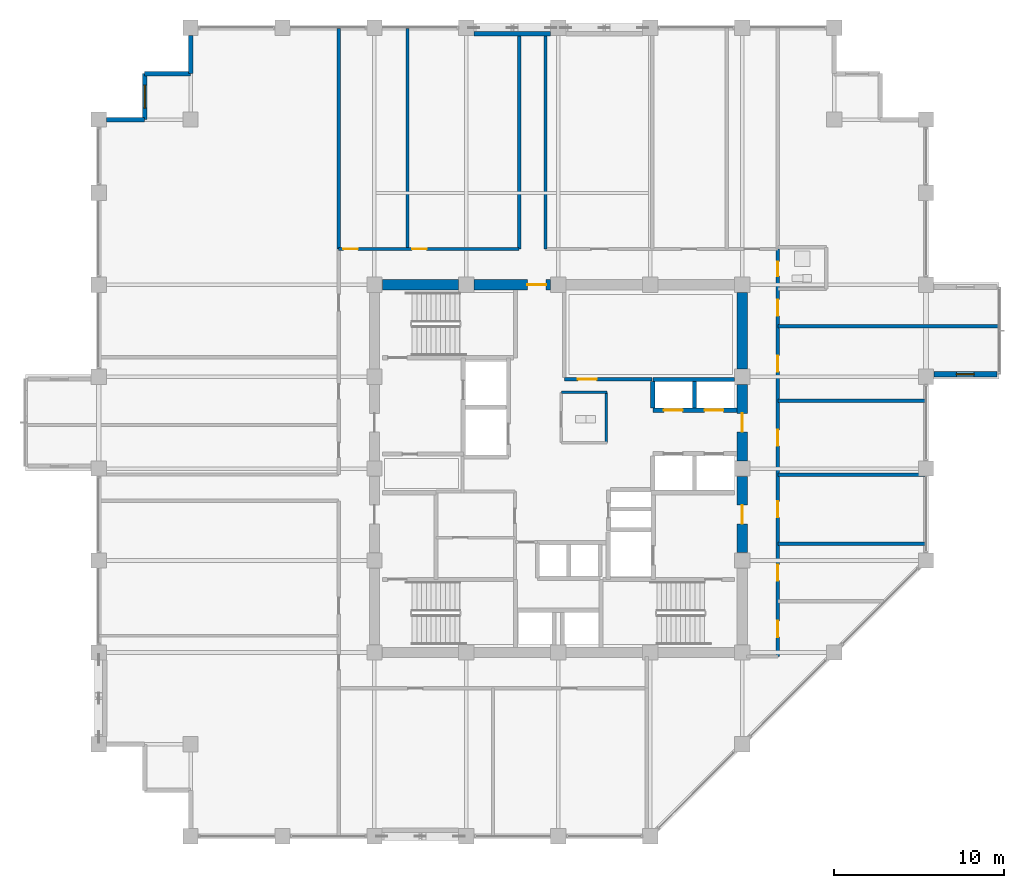
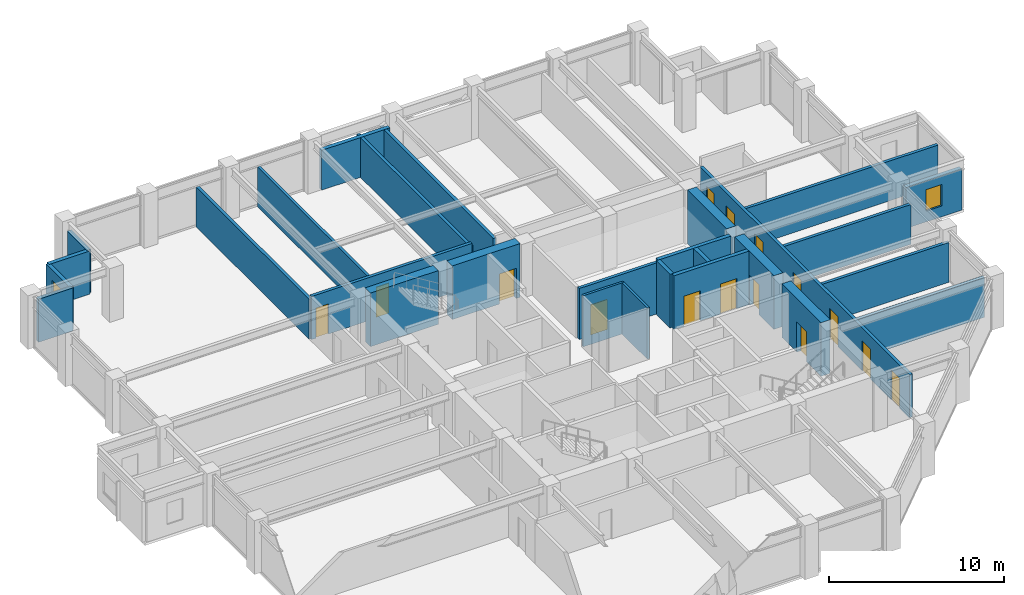
# One storey, part 24 of 28: 28 walls, 15 doors, 2 windows, 17 openings.
"""IFC4 building model written with IfcOpenShell, lengths in metres."""

from ifc_helpers import new_model, si_unit, direction, frame, frame_2d, origin, place, context, subcontext, project, spatial, rectangle, extrude, material, layer, layer_set, type_object, element, fill, save


model = new_model("IFC4")

# Units and contexts
model_context = context("Model", 3, precision=1e-05, world=origin(), true_north=direction((0.0, 1.0)))
body_context = subcontext(model_context, "Body", "Model", "MODEL_VIEW")
ifc_project = project(units=[si_unit("LENGTHUNIT", "METRE"), si_unit("AREAUNIT", "SQUARE_METRE"), si_unit("VOLUMEUNIT", "CUBIC_METRE"), si_unit("PLANEANGLEUNIT", "RADIAN"), si_unit("MASSUNIT", "GRAM", prefix="KILO")], contexts=[model_context])

# Site, building, storey
site_placement = place(None, origin())
site = spatial("IfcSite", under=ifc_project, at=site_placement, CompositionType="ELEMENT")
building_placement = place(site_placement, origin())
building = spatial("IfcBuilding", under=site, at=building_placement, Name="Surkhivell Harbour Commons", CompositionType="ELEMENT")
storey_placement = place(building_placement, frame((0.0, 0.0, 178.5)))
storey = spatial("IfcBuildingStorey", under=building, at=storey_placement, Name="L46", CompositionType="ELEMENT", Elevation=178.5)

# Wall
ifc_material_1 = material(Name="Concrete C60/75", Category="concrete")
ifc_layer_1 = layer(ifc_material_1, 0.60009765625)
ifc_layer_set_1 = layer_set([ifc_layer_1], Name="Concrete C60/75")
wall_type_1 = type_object("IfcWallType", Name="WAL-CORE-600", PredefinedType="SHEAR", material=ifc_layer_set_1)
wall_1_placement = place(storey_placement, frame((-10.340087890625, 10.800048828125, 0.0), z_axis=(0.0, 0.0, 1.0), x_axis=(1.0, 0.0, 0.0)))
element("IfcWall", 1, at=wall_1_placement, inside=storey, type_object=wall_type_1, Name="L46 Core Shear Wall North 1", PredefinedType="SHEAR", context=body_context, shape_type="SweptSolid", body=[
    extrude(rectangle(XDim=4.47998046875, YDim=0.60009765625, at=frame_2d((2.239990234375, 0.0))), origin(), (0.0, 0.0, 1.0), 3.75),
])

# Wall, opening, door
wall_2_placement = place(storey_placement, frame((-4.93994140625, 10.800048828125, 0.0), z_axis=(0.0, 0.0, 1.0), x_axis=(1.0, 0.0, 0.0)))
wall_2 = element("IfcWall", 2, at=wall_2_placement, inside=storey, type_object=wall_type_1, Name="L46 Core Shear Wall North 2", PredefinedType="SHEAR", context=body_context, shape_type="SweptSolid", body=[
    extrude(rectangle(XDim=4.47998046875, YDim=0.60009765625, at=frame_2d((2.239990234375, 0.0))), origin(), (0.0, 0.0, 1.0), 3.75),
])
opening_1_placement = place(wall_2_placement, frame((3.1298828125, 0.0, 0.0)))
opening_1 = element("IfcOpeningElement", 3, at=opening_1_placement, cuts=wall_2, Name="Opening ID-2", PredefinedType="OPENING", context=body_context, shape_type="SweptSolid", body=[
    extrude(rectangle(XDim=1.10009765625, YDim=2.10009765625, at=frame_2d((0.550048828125, 1.050048828125))), frame((0.0, 0.31005859375, 0.0), z_axis=(0.0, -1.0, 0.0), x_axis=(1.0, 0.0, 0.0)), (0.0, 0.0, 1.0), 0.6201171875),
])
ifc_material_2 = material(Name="Hardwood-veneered fire-rated door leaf", Category="wood")
door_type_1 = type_object("IfcDoorType", Name="DOR-FD60-1100", OperationType="NOTDEFINED", PredefinedType="DOOR", material=ifc_material_2)
door_1_placement = place(opening_1_placement, origin())
door_1 = element("IfcDoor", 4, at=door_1_placement, inside=storey, type_object=door_type_1, Name="L46 Central Core Lift Hall North Corridor Door", OperationType="SINGLE_SWING_LEFT", OverallHeight=2.10009765625, OverallWidth=1.10009765625, PredefinedType="DOOR", context=body_context, shape_type="SweptSolid", body=[
    extrude(rectangle(XDim=1.10009765625, YDim=2.10009765625, at=frame_2d((0.550048828125, 1.050048828125))), frame((0.0, 0.02490234375, 0.0), z_axis=(0.0, -1.0, 0.0), x_axis=(1.0, 0.0, 0.0)), (0.0, 0.0, 1.0), 0.050048828125),
])
fill(opening_1, door_1)

wall_3_placement = place(storey_placement, frame((10.800048828125, -4.93994140625, 0.0), z_axis=(0.0, 0.0, 1.0), x_axis=(0.0, 1.0, 0.0)))
wall_3 = element("IfcWall", 5, at=wall_3_placement, inside=storey, type_object=wall_type_1, Name="L46 Core Shear Wall East 2", PredefinedType="SHEAR", context=body_context, shape_type="SweptSolid", body=[
    extrude(rectangle(XDim=4.47998046875, YDim=0.60009765625, at=frame_2d((2.239990234375, 0.0))), origin(), (0.0, 0.0, 1.0), 3.75),
])
opening_2_placement = place(wall_3_placement, frame((1.68994140625, 0.0, 0.0)))
opening_2 = element("IfcOpeningElement", 6, at=opening_2_placement, cuts=wall_3, Name="Opening ID-1", PredefinedType="OPENING", context=body_context, shape_type="SweptSolid", body=[
    extrude(rectangle(XDim=1.10009765625, YDim=2.10009765625, at=frame_2d((0.550048828125, 1.050048828125))), frame((0.0, 0.31005859375, 0.0), z_axis=(0.0, -1.0, 0.0), x_axis=(1.0, 0.0, 0.0)), (0.0, 0.0, 1.0), 0.6201171875),
])
door_type_2 = type_object("IfcDoorType", Name="DOR-FD120-1100", OperationType="NOTDEFINED", PredefinedType="DOOR", material=ifc_material_2)
door_2_placement = place(opening_2_placement, origin())
door_2 = element("IfcDoor", 7, at=door_2_placement, inside=storey, type_object=door_type_2, Name="L46 Firefighting Lobby 2 Corridor Door", OperationType="SINGLE_SWING_RIGHT", OverallHeight=2.10009765625, OverallWidth=1.10009765625, PredefinedType="DOOR", context=body_context, shape_type="SweptSolid", body=[
    extrude(rectangle(XDim=1.10009765625, YDim=2.10009765625, at=frame_2d((0.550048828125, 1.050048828125))), frame((0.0, 0.02490234375, 0.0), z_axis=(0.0, -1.0, 0.0), x_axis=(1.0, 0.0, 0.0)), (0.0, 0.0, 1.0), 0.050048828125),
])
fill(opening_2, door_2)

wall_4_placement = place(storey_placement, frame((10.800048828125, 0.4599609375, 0.0), z_axis=(0.0, 0.0, 1.0), x_axis=(0.0, 1.0, 0.0)))
wall_4 = element("IfcWall", 8, at=wall_4_placement, inside=storey, type_object=wall_type_1, Name="L46 Core Shear Wall East 3", PredefinedType="SHEAR", context=body_context, shape_type="SweptSolid", body=[
    extrude(rectangle(XDim=4.47998046875, YDim=0.60009765625, at=frame_2d((2.239990234375, 0.0))), origin(), (0.0, 0.0, 1.0), 3.75),
])
opening_3_placement = place(wall_4_placement, frame((1.68994140625, 0.0, 0.0)))
opening_3 = element("IfcOpeningElement", 9, at=opening_3_placement, cuts=wall_4, Name="Opening ID-2", PredefinedType="OPENING", context=body_context, shape_type="SweptSolid", body=[
    extrude(rectangle(XDim=1.10009765625, YDim=2.10009765625, at=frame_2d((0.550048828125, 1.050048828125))), frame((0.0, 0.31005859375, 0.0), z_axis=(0.0, -1.0, 0.0), x_axis=(1.0, 0.0, 0.0)), (0.0, 0.0, 1.0), 0.6201171875),
])
door_3_placement = place(opening_3_placement, origin())
door_3 = element("IfcDoor", 10, at=door_3_placement, inside=storey, type_object=door_type_1, Name="L46 Mid-Rise Lobby East Door", OperationType="SINGLE_SWING_LEFT", OverallHeight=2.10009765625, OverallWidth=1.10009765625, PredefinedType="DOOR", context=body_context, shape_type="SweptSolid", body=[
    extrude(rectangle(XDim=1.10009765625, YDim=2.10009765625, at=frame_2d((0.550048828125, 1.050048828125))), frame((0.0, 0.02490234375, 0.0), z_axis=(0.0, -1.0, 0.0), x_axis=(1.0, 0.0, 0.0)), (0.0, 0.0, 1.0), 0.050048828125),
])
fill(opening_3, door_3)

# Wall
wall_5_placement = place(storey_placement, frame((10.800048828125, 5.860107421875, 0.0), z_axis=(0.0, 0.0, 1.0), x_axis=(0.0, 1.0, 0.0)))
element("IfcWall", 11, at=wall_5_placement, inside=storey, type_object=wall_type_1, Name="L46 Core Shear Wall East 4", PredefinedType="SHEAR", context=body_context, shape_type="SweptSolid", body=[
    extrude(rectangle(XDim=4.47998046875, YDim=0.60009765625, at=frame_2d((2.239990234375, 0.0))), origin(), (0.0, 0.0, 1.0), 3.75),
])

# Wall, opening, window
ifc_material_3 = material(Name="Flemish-bond kiln brick and precast concrete C45/55", Category="masonry")
ifc_layer_2 = layer(ifc_material_3, 0.300048828125)
ifc_layer_set_2 = layer_set([ifc_layer_2], Name="Flemish-bond kiln brick and precast concrete C45/55")
wall_type_2 = type_object("IfcWallType", Name="WAL-EXT-BRK300", PredefinedType="STANDARD", material=ifc_layer_set_2)
wall_6_placement = place(storey_placement, frame((22.053955078125, 5.5400390625, 0.0), z_axis=(0.0, 0.0, 1.0), x_axis=(1.0, 0.0, 0.0)))
wall_6 = element("IfcWall", 12, at=wall_6_placement, inside=storey, type_object=wall_type_2, Name="L46 Coloured Box Return Wall 01S", PredefinedType="STANDARD", context=body_context, shape_type="SweptSolid", body=[
    extrude(rectangle(XDim=3.7060546875, YDim=0.300048828125, at=frame_2d((1.85302734375, 0.0))), origin(), (0.0, 0.0, 1.0), 2.85693359375),
])
opening_4_placement = place(wall_6_placement, frame((1.327880859375, 0.0, 0.75)))
opening_4 = element("IfcOpeningElement", 13, at=opening_4_placement, cuts=wall_6, Name="Opening WN-11", PredefinedType="OPENING", context=body_context, shape_type="SweptSolid", body=[
    extrude(rectangle(XDim=1.050048828125, YDim=1.5, at=frame_2d((0.52490234375, 0.75))), frame((0.0, 0.159912109375, 0.0), z_axis=(0.0, -1.0, 0.0), x_axis=(1.0, 0.0, 0.0)), (0.0, 0.0, 1.0), 0.320068359375),
])
ifc_material_4 = material(Name="Thermal-break aluminium frame and double low-E glazing", Category="aluminium")
window_type_1 = type_object("IfcWindowType", Name="WIN-SER-1050x1500", PartitioningType="SINGLE_PANEL", PredefinedType="WINDOW", material=ifc_material_4)
window_1_placement = place(opening_4_placement, origin())
window_1 = element("IfcWindow", 14, at=window_1_placement, inside=storey, type_object=window_type_1, Name="L46 Coloured Box Return Window 01S", OverallHeight=1.5, OverallWidth=1.050048828125, PartitioningType="SINGLE_PANEL", PredefinedType="WINDOW", context=body_context, shape_type="SweptSolid", body=[
    extrude(rectangle(XDim=1.050048828125, YDim=1.5, at=frame_2d((0.52490234375, 0.75))), frame((0.0, 0.030029296875, 0.0), z_axis=(0.0, -1.0, 0.0), x_axis=(1.0, 0.0, 0.0)), (0.0, 0.0, 1.0), 0.06005859375),
])
fill(opening_4, window_1)

# Walls
ifc_material_5 = material(Name="Pale-metal insulated precast concrete C45/55", Category="concrete")
ifc_layer_3 = layer(ifc_material_5, 0.260009765625)
ifc_layer_set_3 = layer_set([ifc_layer_3], Name="Pale-metal insulated precast concrete C45/55")
wall_type_3 = type_object("IfcWallType", Name="WAL-EXT-MTL260", PredefinedType="STANDARD", material=ifc_layer_set_3)
wall_7_placement = place(storey_placement, frame((-0.447998046875, 25.5400390625, 0.0), z_axis=(0.0, 0.0, 1.0), x_axis=(-1.0, 0.0, 0.0)))
element("IfcWall", 15, at=wall_7_placement, inside=storey, type_object=wall_type_3, Name="L46 Braced-Bay Insulated Spandrel Backing N", PredefinedType="STANDARD", context=body_context, shape_type="SweptSolid", body=[
    extrude(rectangle(XDim=4.50390625, YDim=0.260009765625, at=frame_2d((2.251953125, 0.0))), origin(), (0.0, 0.0, 1.0), 2.780029296875),
])
wall_8_placement = place(storey_placement, frame((-21.60009765625, 25.451904296875, 0.0), z_axis=(0.0, 0.0, 1.0), x_axis=(0.0, -1.0, 0.0)))
element("IfcWall", 16, at=wall_8_placement, inside=storey, type_object=wall_type_3, Name="L46 Serrated Corner Facade Wall 08", PredefinedType="STANDARD", context=body_context, shape_type="SweptSolid", body=[
    extrude(rectangle(XDim=2.251953125, YDim=0.260009765625, at=frame_2d((1.1259765625, 0.0))), origin(), (0.0, 0.0, 1.0), 3.006103515625),
])
wall_9_placement = place(storey_placement, frame((-21.60009765625, 23.199951171875, 0.0), z_axis=(0.0, 0.0, 1.0), x_axis=(-1.0, 0.0, 0.0)))
element("IfcWall", 17, at=wall_9_placement, inside=storey, type_object=wall_type_3, Name="L46 Serrated Corner Facade Wall 09", PredefinedType="STANDARD", context=body_context, shape_type="SweptSolid", body=[
    extrude(rectangle(XDim=2.699951171875, YDim=0.260009765625, at=frame_2d((1.35009765625, 0.0))), origin(), (0.0, 0.0, 1.0), 3.006103515625),
])

# Wall, opening, window
wall_10_placement = place(storey_placement, frame((-24.300048828125, 23.199951171875, 0.0), z_axis=(0.0, 0.0, 1.0), x_axis=(0.0, -1.0, 0.0)))
wall_10 = element("IfcWall", 18, at=wall_10_placement, inside=storey, type_object=wall_type_3, Name="L46 Serrated Corner Facade Wall 10", PredefinedType="STANDARD", context=body_context, shape_type="SweptSolid", body=[
    extrude(rectangle(XDim=2.699951171875, YDim=0.260009765625, at=frame_2d((1.35009765625, 0.0))), origin(), (0.0, 0.0, 1.0), 3.006103515625),
])
opening_5_placement = place(wall_10_placement, frame((0.675048828125, 0.0, 0.64990234375)))
opening_5 = element("IfcOpeningElement", 19, at=opening_5_placement, cuts=wall_10, Name="Opening WN-08", PredefinedType="OPENING", context=body_context, shape_type="SweptSolid", body=[
    extrude(rectangle(XDim=1.35009765625, YDim=1.64990234375, at=frame_2d((0.675048828125, 0.824951171875))), frame((0.0, 0.139892578125, 0.0), z_axis=(0.0, -1.0, 0.0), x_axis=(1.0, 0.0, 0.0)), (0.0, 0.0, 1.0), 0.280029296875),
])
window_type_2 = type_object("IfcWindowType", Name="WIN-SER-1350x1650", PartitioningType="SINGLE_PANEL", PredefinedType="WINDOW", material=ifc_material_4)
window_2_placement = place(opening_5_placement, origin())
window_2 = element("IfcWindow", 20, at=window_2_placement, inside=storey, type_object=window_type_2, Name="L46 Serrated Alcove Window 10", OverallHeight=1.64990234375, OverallWidth=1.35009765625, PartitioningType="SINGLE_PANEL", PredefinedType="WINDOW", context=body_context, shape_type="SweptSolid", body=[
    extrude(rectangle(XDim=1.35009765625, YDim=1.64990234375, at=frame_2d((0.675048828125, 0.824951171875))), frame((0.0, 0.030029296875, 0.0), z_axis=(0.0, -1.0, 0.0), x_axis=(1.0, 0.0, 0.0)), (0.0, 0.0, 1.0), 0.06005859375),
])
fill(opening_5, window_2)

# Walls
wall_11_placement = place(storey_placement, frame((-24.300048828125, 20.5, 0.0), z_axis=(0.0, 0.0, 1.0), x_axis=(-1.0, 0.0, 0.0)))
element("IfcWall", 21, at=wall_11_placement, inside=storey, type_object=wall_type_3, Name="L46 Serrated Corner Facade Wall 11", PredefinedType="STANDARD", context=body_context, shape_type="SweptSolid", body=[
    extrude(rectangle(XDim=2.251953125, YDim=0.260009765625, at=frame_2d((1.1259765625, 0.0))), origin(), (0.0, 0.0, 1.0), 3.006103515625),
])
ifc_material_6 = material(Name="Twin-stud acoustic fireboard partition", Category="other")
ifc_layer_4 = layer(ifc_material_6, 0.14990234375)
ifc_layer_set_4 = layer_set([ifc_layer_4], Name="Twin-stud acoustic fireboard partition")
wall_type_4 = type_object("IfcWallType", Name="WAL-INT-150", PredefinedType="PARTITIONING", material=ifc_layer_set_4)
wall_12_placement = place(storey_placement, frame((2.820068359375, 1.52001953125, 0.0), z_axis=(0.0, 0.0, 1.0), x_axis=(0.0, 1.0, 0.0)))
element("IfcWall", 22, at=wall_12_placement, inside=storey, type_object=wall_type_4, Name="L46 Core Accessible WC East Wall", PredefinedType="PARTITIONING", context=body_context, shape_type="SweptSolid", body=[
    extrude(rectangle(XDim=2.9599609375, YDim=0.14990234375, at=frame_2d((1.47998046875, 0.0))), origin(), (0.0, 0.0, 1.0), 3.570068359375),
])
wall_13_placement = place(storey_placement, frame((0.179931640625, 4.47998046875, 0.0), z_axis=(0.0, 0.0, 1.0), x_axis=(1.0, 0.0, 0.0)))
element("IfcWall", 23, at=wall_13_placement, inside=storey, type_object=wall_type_4, Name="L46 Core Accessible WC North Wall", PredefinedType="PARTITIONING", context=body_context, shape_type="SweptSolid", body=[
    extrude(rectangle(XDim=2.670166015625, YDim=0.14990234375, at=frame_2d((1.3349609375, 0.0))), origin(), (0.0, 0.0, 1.0), 3.570068359375),
])
ifc_material_7 = material(Name="High-density acoustic blockwork fire partition", Category="masonry")
ifc_layer_5 = layer(ifc_material_7, 0.175048828125)
ifc_layer_set_5 = layer_set([ifc_layer_5], Name="High-density acoustic blockwork fire partition")
wall_type_5 = type_object("IfcWallType", Name="WAL-INT-175", PredefinedType="PARTITIONING", material=ifc_layer_set_5)
wall_14_placement = place(storey_placement, frame((-8.8701171875, 12.89990234375, 0.0), z_axis=(0.0, 0.0, 1.0), x_axis=(0.0, 1.0, 0.0)))
element("IfcWall", 24, at=wall_14_placement, inside=storey, type_object=wall_type_5, Name="L46 North-West Partition P1", PredefinedType="PARTITIONING", context=body_context, shape_type="SweptSolid", body=[
    extrude(rectangle(XDim=12.940185546875, YDim=0.175048828125, at=frame_2d((6.47021484375, 0.0))), origin(), (0.0, 0.0, 1.0), 2.780029296875),
])

# Wall, opening, door
ifc_material_8 = material(Name="Autoclaved aerated concrete blockwork and fire plaster", Category="masonry")
ifc_layer_6 = layer(ifc_material_8, 0.199951171875)
ifc_layer_set_6 = layer_set([ifc_layer_6], Name="Autoclaved aerated concrete blockwork and fire plaster")
wall_type_6 = type_object("IfcWallType", Name="WAL-INT-200", PredefinedType="PARTITIONING", material=ifc_layer_set_6)
wall_15_placement = place(storey_placement, frame((0.35009765625, 5.239990234375, 0.0), z_axis=(0.0, 0.0, 1.0), x_axis=(1.0, 0.0, 0.0)))
wall_15 = element("IfcWall", 25, at=wall_15_placement, inside=storey, type_object=wall_type_6, Name="L46 Reclaimed Core North Bay South Wall", PredefinedType="PARTITIONING", context=body_context, shape_type="SweptSolid", body=[
    extrude(rectangle(XDim=5.14990234375, YDim=0.199951171875, at=frame_2d((2.574951171875, 0.0))), origin(), (0.0, 0.0, 1.0), 3.570068359375),
])
opening_6_placement = place(wall_15_placement, frame((0.800048828125, 0.0, 0.0)))
opening_6 = element("IfcOpeningElement", 26, at=opening_6_placement, cuts=wall_15, Name="Opening ID-2", PredefinedType="OPENING", context=body_context, shape_type="SweptSolid", body=[
    extrude(rectangle(XDim=1.10009765625, YDim=2.10009765625, at=frame_2d((0.550048828125, 1.050048828125))), frame((0.0, 0.10986328125, 0.0), z_axis=(0.0, -1.0, 0.0), x_axis=(1.0, 0.0, 0.0)), (0.0, 0.0, 1.0), 0.219970703125),
])
door_4_placement = place(opening_6_placement, origin())
door_4 = element("IfcDoor", 27, at=door_4_placement, inside=storey, type_object=door_type_1, Name="L46 Reading Library Door", OperationType="SINGLE_SWING_LEFT", OverallHeight=2.10009765625, OverallWidth=1.10009765625, PredefinedType="DOOR", context=body_context, shape_type="SweptSolid", body=[
    extrude(rectangle(XDim=1.10009765625, YDim=2.10009765625, at=frame_2d((0.550048828125, 1.050048828125))), frame((0.0, 0.02490234375, 0.0), z_axis=(0.0, -1.0, 0.0), x_axis=(1.0, 0.0, 0.0)), (0.0, 0.0, 1.0), 0.050048828125),
])
fill(opening_6, door_4)

# Wall
wall_16_placement = place(storey_placement, frame((-12.89990234375, 12.89990234375, 0.0), z_axis=(0.0, 0.0, 1.0), x_axis=(0.0, 1.0, 0.0)))
element("IfcWall", 28, at=wall_16_placement, inside=storey, type_object=wall_type_6, Name="L46 North-West Corner Wall", PredefinedType="PARTITIONING", context=body_context, shape_type="SweptSolid", body=[
    extrude(rectangle(XDim=12.940185546875, YDim=0.199951171875, at=frame_2d((6.47021484375, 0.0))), origin(), (0.0, 0.0, 1.0), 2.780029296875),
])

# Wall, openings, doors
wall_17_placement = place(storey_placement, frame((12.89990234375, -11.0400390625, 0.0), z_axis=(0.0, 0.0, 1.0), x_axis=(0.0, 1.0, 0.0)))
wall_17 = element("IfcWall", 29, at=wall_17_placement, inside=storey, type_object=wall_type_6, Name="L46 Corridor East Wall", PredefinedType="PARTITIONING", context=body_context, shape_type="SweptSolid", body=[
    extrude(rectangle(XDim=23.93994140625, YDim=0.199951171875, at=frame_2d((11.969970703125, 0.0))), origin(), (0.0, 0.0, 1.0), 3.006103515625),
])
opening_7_placement = place(wall_17_placement, frame((1.139892578125, 0.0, 0.0)))
opening_7 = element("IfcOpeningElement", 30, at=opening_7_placement, cuts=wall_17, Name="Opening ID-4", PredefinedType="OPENING", context=body_context, shape_type="SweptSolid", body=[
    extrude(rectangle(XDim=0.949951171875, YDim=2.10009765625, at=frame_2d((0.47509765625, 1.050048828125))), frame((0.0, 0.10986328125, 0.0), z_axis=(0.0, -1.0, 0.0), x_axis=(1.0, 0.0, 0.0)), (0.0, 0.0, 1.0), 0.219970703125),
])
opening_8_placement = place(wall_17_placement, frame((22.344970703125, 0.0, 0.0)))
opening_8 = element("IfcOpeningElement", 31, at=opening_8_placement, cuts=wall_17, Name="Opening ID-6", PredefinedType="OPENING", context=body_context, shape_type="SweptSolid", body=[
    extrude(rectangle(XDim=0.85009765625, YDim=2.10009765625, at=frame_2d((0.425048828125, 1.050048828125))), frame((0.0, 0.10986328125, 0.0), z_axis=(0.0, -1.0, 0.0), x_axis=(1.0, 0.0, 0.0)), (0.0, 0.0, 1.0), 0.219970703125),
])
opening_9_placement = place(wall_17_placement, frame((20.010009765625, 0.0, 0.0)))
opening_9 = element("IfcOpeningElement", 32, at=opening_9_placement, cuts=wall_17, Name="Opening ID-4", PredefinedType="OPENING", context=body_context, shape_type="SweptSolid", body=[
    extrude(rectangle(XDim=0.949951171875, YDim=2.10009765625, at=frame_2d((0.47509765625, 1.050048828125))), frame((0.0, 0.10986328125, 0.0), z_axis=(0.0, -1.0, 0.0), x_axis=(1.0, 0.0, 0.0)), (0.0, 0.0, 1.0), 0.219970703125),
])
opening_10_placement = place(wall_17_placement, frame((4.455078125, 0.0, 0.0)))
opening_10 = element("IfcOpeningElement", 33, at=opening_10_placement, cuts=wall_17, Name="Opening ID-4", PredefinedType="OPENING", context=body_context, shape_type="SweptSolid", body=[
    extrude(rectangle(XDim=0.949951171875, YDim=2.10009765625, at=frame_2d((0.47509765625, 1.050048828125))), frame((0.0, 0.10986328125, 0.0), z_axis=(0.0, -1.0, 0.0), x_axis=(1.0, 0.0, 0.0)), (0.0, 0.0, 1.0), 0.219970703125),
])
opening_11_placement = place(wall_17_placement, frame((8.169921875, 0.0, 0.0)))
opening_11 = element("IfcOpeningElement", 34, at=opening_11_placement, cuts=wall_17, Name="Opening ID-4", PredefinedType="OPENING", context=body_context, shape_type="SweptSolid", body=[
    extrude(rectangle(XDim=0.949951171875, YDim=2.10009765625, at=frame_2d((0.47509765625, 1.050048828125))), frame((0.0, 0.10986328125, 0.0), z_axis=(0.0, -1.0, 0.0), x_axis=(1.0, 0.0, 0.0)), (0.0, 0.0, 1.0), 0.219970703125),
])
opening_12_placement = place(wall_17_placement, frame((12.3701171875, 0.0, 0.0)))
opening_12 = element("IfcOpeningElement", 35, at=opening_12_placement, cuts=wall_17, Name="Opening ID-4", PredefinedType="OPENING", context=body_context, shape_type="SweptSolid", body=[
    extrude(rectangle(XDim=0.949951171875, YDim=2.10009765625, at=frame_2d((0.47509765625, 1.050048828125))), frame((0.0, 0.10986328125, 0.0), z_axis=(0.0, -1.0, 0.0), x_axis=(1.0, 0.0, 0.0)), (0.0, 0.0, 1.0), 0.219970703125),
])
opening_13_placement = place(wall_17_placement, frame((16.72998046875, 0.0, 0.0)))
opening_13 = element("IfcOpeningElement", 36, at=opening_13_placement, cuts=wall_17, Name="Opening ID-4", PredefinedType="OPENING", context=body_context, shape_type="SweptSolid", body=[
    extrude(rectangle(XDim=0.949951171875, YDim=2.10009765625, at=frame_2d((0.47509765625, 1.050048828125))), frame((0.0, 0.10986328125, 0.0), z_axis=(0.0, -1.0, 0.0), x_axis=(1.0, 0.0, 0.0)), (0.0, 0.0, 1.0), 0.219970703125),
])
door_type_3 = type_object("IfcDoorType", Name="DOR-FD30-850", OperationType="NOTDEFINED", PredefinedType="DOOR", material=ifc_material_2)
door_5_placement = place(opening_8_placement, origin())
door_5 = element("IfcDoor", 37, at=door_5_placement, inside=storey, type_object=door_type_3, Name="L46 Communal Shower Bathroom East Door", OperationType="SINGLE_SWING_LEFT", OverallHeight=2.10009765625, OverallWidth=0.85009765625, PredefinedType="DOOR", context=body_context, shape_type="SweptSolid", body=[
    extrude(rectangle(XDim=0.85009765625, YDim=2.10009765625, at=frame_2d((0.425048828125, 1.050048828125))), frame((0.0, 0.02490234375, 0.0), z_axis=(0.0, -1.0, 0.0), x_axis=(1.0, 0.0, 0.0)), (0.0, 0.0, 1.0), 0.050048828125),
])
fill(opening_8, door_5)
door_type_4 = type_object("IfcDoorType", Name="DOR-FD60-950", OperationType="NOTDEFINED", PredefinedType="DOOR", material=ifc_material_2)
door_6_placement = place(opening_7_placement, origin())
door_6 = element("IfcDoor", 38, at=door_6_placement, inside=storey, type_object=door_type_4, Name="L46 Shared Communal Kitchen East Door", OperationType="SINGLE_SWING_RIGHT", OverallHeight=2.10009765625, OverallWidth=0.949951171875, PredefinedType="DOOR", context=body_context, shape_type="SweptSolid", body=[
    extrude(rectangle(XDim=0.949951171875, YDim=2.10009765625, at=frame_2d((0.47509765625, 1.050048828125))), frame((0.0, 0.02490234375, 0.0), z_axis=(0.0, -1.0, 0.0), x_axis=(1.0, 0.0, 0.0)), (0.0, 0.0, 1.0), 0.050048828125),
])
fill(opening_7, door_6)
door_7_placement = place(opening_9_placement, origin())
door_7 = element("IfcDoor", 39, at=door_7_placement, inside=storey, type_object=door_type_4, Name="L46 Academic Reading Commons East Door", OperationType="SINGLE_SWING_RIGHT", OverallHeight=2.10009765625, OverallWidth=0.949951171875, PredefinedType="DOOR", context=body_context, shape_type="SweptSolid", body=[
    extrude(rectangle(XDim=0.949951171875, YDim=2.10009765625, at=frame_2d((0.47509765625, 1.050048828125))), frame((0.0, 0.02490234375, 0.0), z_axis=(0.0, -1.0, 0.0), x_axis=(1.0, 0.0, 0.0)), (0.0, 0.0, 1.0), 0.050048828125),
])
fill(opening_9, door_7)
door_8_placement = place(opening_10_placement, origin())
door_8 = element("IfcDoor", 40, at=door_8_placement, inside=storey, type_object=door_type_4, Name="L46 Hostel Cluster Bedroom 1 East Door", OperationType="SINGLE_SWING_LEFT", OverallHeight=2.10009765625, OverallWidth=0.949951171875, PredefinedType="DOOR", context=body_context, shape_type="SweptSolid", body=[
    extrude(rectangle(XDim=0.949951171875, YDim=2.10009765625, at=frame_2d((0.47509765625, 1.050048828125))), frame((0.0, 0.02490234375, 0.0), z_axis=(0.0, -1.0, 0.0), x_axis=(1.0, 0.0, 0.0)), (0.0, 0.0, 1.0), 0.050048828125),
])
fill(opening_10, door_8)
door_9_placement = place(opening_11_placement, origin())
door_9 = element("IfcDoor", 41, at=door_9_placement, inside=storey, type_object=door_type_4, Name="L46 Co-Living Dormitory Bedroom 2 East Door", OperationType="SINGLE_SWING_RIGHT", OverallHeight=2.10009765625, OverallWidth=0.949951171875, PredefinedType="DOOR", context=body_context, shape_type="SweptSolid", body=[
    extrude(rectangle(XDim=0.949951171875, YDim=2.10009765625, at=frame_2d((0.47509765625, 1.050048828125))), frame((0.0, 0.02490234375, 0.0), z_axis=(0.0, -1.0, 0.0), x_axis=(1.0, 0.0, 0.0)), (0.0, 0.0, 1.0), 0.050048828125),
])
fill(opening_11, door_9)
door_10_placement = place(opening_12_placement, origin())
door_10 = element("IfcDoor", 42, at=door_10_placement, inside=storey, type_object=door_type_4, Name="L46 Hostel Cluster Bedroom 3 East Door", OperationType="SINGLE_SWING_LEFT", OverallHeight=2.10009765625, OverallWidth=0.949951171875, PredefinedType="DOOR", context=body_context, shape_type="SweptSolid", body=[
    extrude(rectangle(XDim=0.949951171875, YDim=2.10009765625, at=frame_2d((0.47509765625, 1.050048828125))), frame((0.0, 0.02490234375, 0.0), z_axis=(0.0, -1.0, 0.0), x_axis=(1.0, 0.0, 0.0)), (0.0, 0.0, 1.0), 0.050048828125),
])
fill(opening_12, door_10)
door_11_placement = place(opening_13_placement, origin())
door_11 = element("IfcDoor", 43, at=door_11_placement, inside=storey, type_object=door_type_4, Name="L46 Co-Living Dormitory Bedroom 4 East Door", OperationType="SINGLE_SWING_RIGHT", OverallHeight=2.10009765625, OverallWidth=0.949951171875, PredefinedType="DOOR", context=body_context, shape_type="SweptSolid", body=[
    extrude(rectangle(XDim=0.949951171875, YDim=2.10009765625, at=frame_2d((0.47509765625, 1.050048828125))), frame((0.0, 0.02490234375, 0.0), z_axis=(0.0, -1.0, 0.0), x_axis=(1.0, 0.0, 0.0)), (0.0, 0.0, 1.0), 0.050048828125),
])
fill(opening_13, door_11)

wall_18_placement = place(storey_placement, frame((-12.89990234375, 12.89990234375, 0.0), z_axis=(0.0, 0.0, 1.0), x_axis=(1.0, 0.0, 0.0)))
wall_18 = element("IfcWall", 44, at=wall_18_placement, inside=storey, type_object=wall_type_6, Name="L46 Corridor North-West Wall", PredefinedType="PARTITIONING", context=body_context, shape_type="SweptSolid", body=[
    extrude(rectangle(XDim=10.599853515625, YDim=0.199951171875, at=frame_2d((5.2998046875, 0.0))), origin(), (0.0, 0.0, 1.0), 3.006103515625),
])
opening_14_placement = place(wall_18_placement, frame((0.280029296875, 0.0, 0.0)))
opening_14 = element("IfcOpeningElement", 45, at=opening_14_placement, cuts=wall_18, Name="Opening ID-6", PredefinedType="OPENING", context=body_context, shape_type="SweptSolid", body=[
    extrude(rectangle(XDim=0.85009765625, YDim=2.10009765625, at=frame_2d((0.425048828125, 1.050048828125))), frame((0.0, 0.10986328125, 0.0), z_axis=(0.0, -1.0, 0.0), x_axis=(1.0, 0.0, 0.0)), (0.0, 0.0, 1.0), 0.219970703125),
])
opening_15_placement = place(wall_18_placement, frame((4.31005859375, 0.0, 0.0)))
opening_15 = element("IfcOpeningElement", 46, at=opening_15_placement, cuts=wall_18, Name="Opening ID-6", PredefinedType="OPENING", context=body_context, shape_type="SweptSolid", body=[
    extrude(rectangle(XDim=0.85009765625, YDim=2.10009765625, at=frame_2d((0.425048828125, 1.050048828125))), frame((0.0, 0.10986328125, 0.0), z_axis=(0.0, -1.0, 0.0), x_axis=(1.0, 0.0, 0.0)), (0.0, 0.0, 1.0), 0.219970703125),
])
door_12_placement = place(opening_14_placement, origin())
door_12 = element("IfcDoor", 47, at=door_12_placement, inside=storey, type_object=door_type_3, Name="L46 Harbour Reading Library North-West Door", OperationType="SINGLE_SWING_LEFT", OverallHeight=2.10009765625, OverallWidth=0.85009765625, PredefinedType="DOOR", context=body_context, shape_type="SweptSolid", body=[
    extrude(rectangle(XDim=0.85009765625, YDim=2.10009765625, at=frame_2d((0.425048828125, 1.050048828125))), frame((0.0, 0.02490234375, 0.0), z_axis=(0.0, -1.0, 0.0), x_axis=(1.0, 0.0, 0.0)), (0.0, 0.0, 1.0), 0.050048828125),
])
fill(opening_14, door_12)
door_13_placement = place(opening_15_placement, origin())
door_13 = element("IfcDoor", 48, at=door_13_placement, inside=storey, type_object=door_type_3, Name="L46 Communal Dining Hall North-West Door", OperationType="SINGLE_SWING_RIGHT", OverallHeight=2.10009765625, OverallWidth=0.85009765625, PredefinedType="DOOR", context=body_context, shape_type="SweptSolid", body=[
    extrude(rectangle(XDim=0.85009765625, YDim=2.10009765625, at=frame_2d((0.425048828125, 1.050048828125))), frame((0.0, 0.02490234375, 0.0), z_axis=(0.0, -1.0, 0.0), x_axis=(1.0, 0.0, 0.0)), (0.0, 0.0, 1.0), 0.050048828125),
])
fill(opening_15, door_13)

# Walls
for number, where, z_axis, x_axis, name in (
    (49, (-0.75, 12.89990234375, 0.0), (0.0, 0.0, 1.0), (0.0, 1.0, 0.0), "L46 North Spur East Wall"),
    (50, (-2.300048828125, 12.89990234375, 0.0), (0.0, 0.0, 1.0), (0.0, 1.0, 0.0), "L46 North Spur West Wall"),
):
    element("IfcWall", number, at=place(storey_placement, frame(where, z_axis=z_axis, x_axis=x_axis)), inside=storey, type_object=wall_type_6, Name=name, PredefinedType="PARTITIONING", context=body_context, shape_type="SweptSolid", body=[
        extrude(rectangle(XDim=12.940185546875, YDim=0.199951171875, at=frame_2d((6.47021484375, 0.0))), origin(), (0.0, 0.0, 1.0), 2.780029296875),
    ])
for number, where, z_axis, x_axis, name in (
    (51, (12.89990234375, -4.409912109375, 0.0), (0.0, 0.0, 1.0), (1.0, 0.0, 0.0), "L46 East Partition BDP1"),
    (52, (12.89990234375, -0.3701171875, 0.0), (0.0, 0.0, 1.0), (1.0, 0.0, 0.0), "L46 East Partition BDP2"),
    (53, (12.89990234375, 3.989990234375, 0.0), (0.0, 0.0, 1.0), (1.0, 0.0, 0.0), "L46 East Partition BDP3"),
):
    element("IfcWall", number, at=place(storey_placement, frame(where, z_axis=z_axis, x_axis=x_axis)), inside=storey, type_object=wall_type_6, Name=name, PredefinedType="PARTITIONING", context=body_context, shape_type="SweptSolid", body=[
        extrude(rectangle(XDim=8.64013671875, YDim=0.199951171875, at=frame_2d((4.320068359375, 0.0))), origin(), (0.0, 0.0, 1.0), 2.780029296875),
    ])
wall_19_placement = place(storey_placement, frame((12.89990234375, 8.35009765625, 0.0), z_axis=(0.0, 0.0, 1.0), x_axis=(1.0, 0.0, 0.0)))
element("IfcWall", 54, at=wall_19_placement, inside=storey, type_object=wall_type_6, Name="L46 East Partition PTOP", PredefinedType="PARTITIONING", context=body_context, shape_type="SweptSolid", body=[
    extrude(rectangle(XDim=12.940185546875, YDim=0.199951171875, at=frame_2d((6.47021484375, 0.0))), origin(), (0.0, 0.0, 1.0), 2.780029296875),
])
ifc_material_9 = material(Name="Concrete C50/60", Category="concrete")
ifc_layer_7 = layer(ifc_material_9, 0.25)
ifc_layer_set_7 = layer_set([ifc_layer_7], Name="Concrete C50/60")
wall_type_7 = type_object("IfcWallType", Name="WAL-SHAFT-250", PredefinedType="SHEAR", material=ifc_layer_set_7)
for number, where, z_axis, x_axis, name in (
    (55, (5.550048828125, 3.550048828125, 0.0), (0.0, 0.0, 1.0), (0.0, 1.0, 0.0), "L46 Mid-Rise Shaft Side Wall N"),
    (56, (8.0, 3.550048828125, 0.0), (0.0, 0.0, 1.0), (0.0, 1.0, 0.0), "L46 Mid-Rise Shaft Side Wall N"),
):
    element("IfcWall", number, at=place(storey_placement, frame(where, z_axis=z_axis, x_axis=x_axis)), inside=storey, type_object=wall_type_7, Name=name, PredefinedType="SHEAR", context=body_context, shape_type="SweptSolid", body=[
        extrude(rectangle(XDim=1.570068359375, YDim=0.25, at=frame_2d((0.78515625, 0.0))), origin(), (0.0, 0.0, 1.0), 3.75),
    ])

# Wall, openings, doors
wall_20_placement = place(storey_placement, frame((5.550048828125, 3.429931640625, 0.0), z_axis=(0.0, 0.0, 1.0), x_axis=(1.0, 0.0, 0.0)))
wall_20 = element("IfcWall", 57, at=wall_20_placement, inside=storey, type_object=wall_type_7, Name="L46 Mid-Rise North Front Shaft Wall", PredefinedType="SHEAR", context=body_context, shape_type="SweptSolid", body=[
    extrude(rectangle(XDim=4.949951171875, YDim=0.25, at=frame_2d((2.47509765625, 0.0))), origin(), (0.0, 0.0, 1.0), 3.75),
])
opening_16_placement = place(wall_20_placement, frame((0.64990234375, 0.0, 0.0)))
opening_16 = element("IfcOpeningElement", 58, at=opening_16_placement, cuts=wall_20, Name="Opening LD-1", PredefinedType="OPENING", context=body_context, shape_type="SweptSolid", body=[
    extrude(rectangle(XDim=1.10009765625, YDim=2.10009765625, at=frame_2d((0.550048828125, 1.050048828125))), frame((0.0, 0.135009765625, 0.0), z_axis=(0.0, -1.0, 0.0), x_axis=(1.0, 0.0, 0.0)), (0.0, 0.0, 1.0), 0.27001953125),
])
opening_17_placement = place(wall_20_placement, frame((3.050048828125, 0.0, 0.0)))
opening_17 = element("IfcOpeningElement", 59, at=opening_17_placement, cuts=wall_20, Name="Opening LD-1", PredefinedType="OPENING", context=body_context, shape_type="SweptSolid", body=[
    extrude(rectangle(XDim=1.10009765625, YDim=2.10009765625, at=frame_2d((0.550048828125, 1.050048828125))), frame((0.0, 0.135009765625, 0.0), z_axis=(0.0, -1.0, 0.0), x_axis=(1.0, 0.0, 0.0)), (0.0, 0.0, 1.0), 0.27001953125),
])
ifc_material_10 = material(Name="Brushed stainless steel S355", Category="steel")
door_type_5 = type_object("IfcDoorType", Name="DOR-LD-1100", OperationType="SLIDING_TO_LEFT", PredefinedType="DOOR", material=ifc_material_10)
door_14_placement = place(opening_16_placement, origin())
door_14 = element("IfcDoor", 60, at=door_14_placement, inside=storey, type_object=door_type_5, Name="L46 Lift Landing Door LD-PM1", OperationType="SLIDING_TO_RIGHT", OverallHeight=2.10009765625, OverallWidth=1.10009765625, PredefinedType="DOOR", context=body_context, shape_type="SweptSolid", body=[
    extrude(rectangle(XDim=1.10009765625, YDim=2.10009765625, at=frame_2d((0.550048828125, 1.050048828125))), frame((0.0, 0.02490234375, 0.0), z_axis=(0.0, -1.0, 0.0), x_axis=(1.0, 0.0, 0.0)), (0.0, 0.0, 1.0), 0.050048828125),
])
fill(opening_16, door_14)
door_15_placement = place(opening_17_placement, origin())
door_15 = element("IfcDoor", 61, at=door_15_placement, inside=storey, type_object=door_type_5, Name="L46 Lift Landing Door LD-PM2", OperationType="SLIDING_TO_RIGHT", OverallHeight=2.10009765625, OverallWidth=1.10009765625, PredefinedType="DOOR", context=body_context, shape_type="SweptSolid", body=[
    extrude(rectangle(XDim=1.10009765625, YDim=2.10009765625, at=frame_2d((0.550048828125, 1.050048828125))), frame((0.0, 0.02490234375, 0.0), z_axis=(0.0, -1.0, 0.0), x_axis=(1.0, 0.0, 0.0)), (0.0, 0.0, 1.0), 0.050048828125),
])
fill(opening_17, door_15)

# Wall
wall_21_placement = place(storey_placement, frame((5.550048828125, 5.239990234375, 0.0), z_axis=(0.0, 0.0, 1.0), x_axis=(1.0, 0.0, 0.0)))
element("IfcWall", 62, at=wall_21_placement, inside=storey, type_object=wall_type_7, Name="L46 Mid-Rise North Back Shaft Wall", PredefinedType="SHEAR", context=body_context, shape_type="SweptSolid", body=[
    extrude(rectangle(XDim=4.800048828125, YDim=0.25, at=frame_2d((2.39990234375, 0.0))), origin(), (0.0, 0.0, 1.0), 3.75),
])

save(model, "model.ifc")
